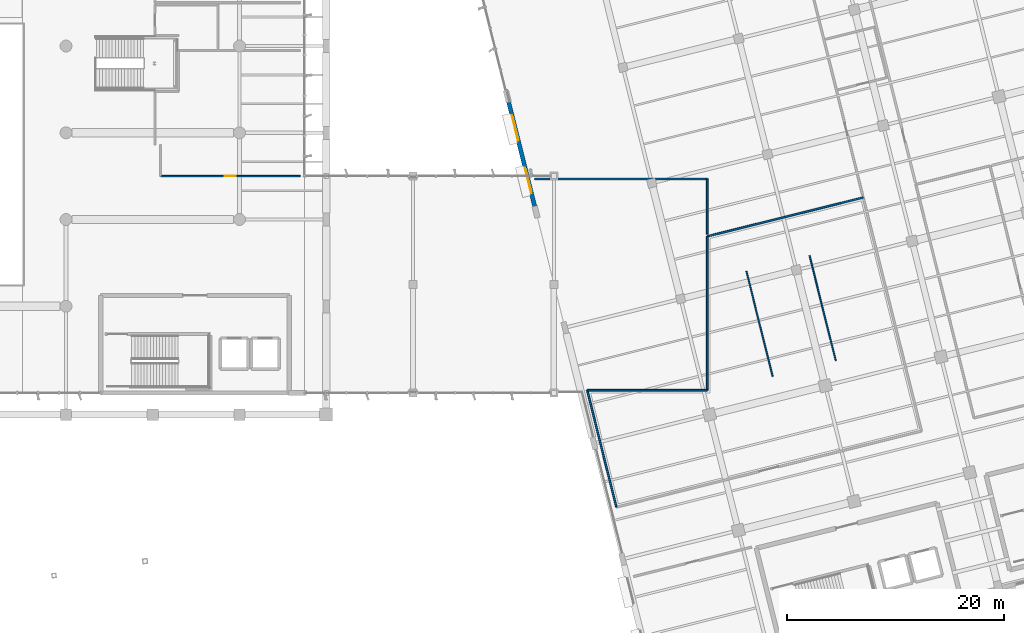
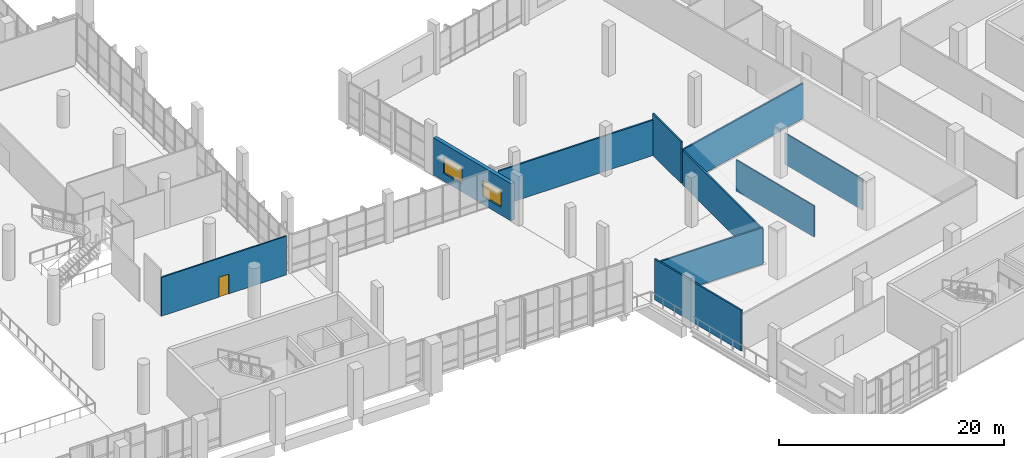
# One storey, part 143 of 176: 10 walls, 2 windows, 1 door, 3 openings.
"""IFC4 building model written with IfcOpenShell, lengths in metres."""

import ifcopenshell
import ifcopenshell.guid

model = None  # the IFC model being written
_history = None  # IfcOwnerHistory: only IFC2X3 demands one
_inside = {}  # id of a spatial element -> (the spatial element, [elements in it])
_under = {}  # id of a project, library or spatial element -> (it, [spatial elements below it])
_declared = {}  # id of a project -> (the project, [libraries it declares])
_typed = {}  # id of a type object -> (the type object, [elements of that type])
_made_of = {}  # id of a material, layer set ... -> (it, [elements and type objects made of it])


def new_model(schema):
    """Start an empty IFC model of exactly this schema.

    Asked for "IFC4X3", IfcOpenShell would pick the latest addendum, in which some entities
    have other attributes; the version numbers below select the first issue.
    IFC2X3 requires an IfcOwnerHistory on every rooted entity: one is made here for all.
    """
    global model, _history
    if schema == "IFC4X3":
        model = ifcopenshell.file(schema_version=(4, 3, 0, 0))
    else:
        model = ifcopenshell.file(schema=schema)
    _inside.clear()
    _under.clear()
    _declared.clear()
    _typed.clear()
    _made_of.clear()
    _history = None
    if model.schema == "IFC2X3":
        org = make("IfcOrganization", Name="unknown")
        user = make(
            "IfcPersonAndOrganization",
            ThePerson=make("IfcPerson", FamilyName="unknown"),
            TheOrganization=org,
        )
        app = make(
            "IfcApplication",
            ApplicationDeveloper=org,
            Version="unknown",
            ApplicationFullName="unknown",
            ApplicationIdentifier="unknown",
        )
        _history = make(
            "IfcOwnerHistory",
            OwningUser=user,
            OwningApplication=app,
            ChangeAction="ADDED",
            CreationDate=0,
        )
    return model


def make(cls, **values):
    """One entity of the class cls with the attributes given. An attribute that is None is left unset."""
    return model.create_entity(
        cls, **{name: value for name, value in values.items() if value is not None}
    )


def rooted(cls, **values):
    """An entity with a GlobalId (a new one), such as an element, a storey or a relation."""
    return make(cls, GlobalId=ifcopenshell.guid.new(), OwnerHistory=_history, **values)


def si_unit(unit_type, name, prefix=None):
    """IfcSIUnit, for example si_unit("LENGTHUNIT", "METRE", prefix="MILLI")."""
    return make("IfcSIUnit", UnitType=unit_type, Prefix=prefix, Name=name)


def assignment(units):
    """IfcUnitAssignment: the units of a project."""
    return None if units is None else make("IfcUnitAssignment", Units=units)


def point(xyz):
    """IfcCartesianPoint."""
    return None if xyz is None else make("IfcCartesianPoint", Coordinates=xyz)


def direction(xyz):
    """IfcDirection."""
    return None if xyz is None else make("IfcDirection", DirectionRatios=xyz)


def frame(location, z_axis=None, x_axis=None):
    """IfcAxis2Placement3D, a coordinate frame: its origin and axes. An axis left out is left unset."""
    return make(
        "IfcAxis2Placement3D",
        Location=point(location),
        Axis=direction(z_axis),
        RefDirection=direction(x_axis),
    )


def frame_2d(location, x_axis=None):
    """IfcAxis2Placement2D, a coordinate frame in the plane: its origin and x axis."""
    return make(
        "IfcAxis2Placement2D", Location=point(location), RefDirection=direction(x_axis)
    )


def origin():
    """The frame at (0, 0, 0) with its axes left unset."""
    return frame((0.0, 0.0, 0.0))


def place(relative_to, where):
    """IfcLocalPlacement: puts the frame where relative to a parent placement (None: the world)."""
    return make(
        "IfcLocalPlacement", PlacementRelTo=relative_to, RelativePlacement=where
    )


def context(
    kind, dimensions, precision=None, world=None, true_north=None, identifier=None
):
    """IfcGeometricRepresentationContext, for example the 3D "Model" context."""
    return make(
        "IfcGeometricRepresentationContext",
        ContextIdentifier=identifier,
        ContextType=kind,
        CoordinateSpaceDimension=dimensions,
        Precision=precision,
        WorldCoordinateSystem=world,
        TrueNorth=true_north,
    )


def subcontext(parent, identifier, kind, view, scale=None):
    """IfcGeometricRepresentationSubContext, for example "Body" below "Model"."""
    return make(
        "IfcGeometricRepresentationSubContext",
        ContextIdentifier=identifier,
        ContextType=kind,
        ParentContext=parent,
        TargetScale=scale,
        TargetView=view,
    )


def project(units=None, contexts=None):
    """IfcProject with its units and contexts."""
    return rooted(
        "IfcProject",
        Name="project",
        RepresentationContexts=contexts,
        UnitsInContext=assignment(units),
    )


def spatial(cls, under=None, at=None, **own):
    """A site, building, storey or space (cls), placed at a placement, below another one or the project."""
    s = rooted(cls, ObjectPlacement=at, **own)
    if under is not None:
        _under.setdefault(under.id(), (under, []))[1].append(s)
    return s


def profile(cls, at=None, kind="AREA", **sizes):
    """A parametric profile (cls). Its sizes go by their IFC names, for example OverallWidth=200.0."""
    return make(cls, ProfileType=kind, Position=at, **sizes)


def rectangle(**sizes):
    """IfcRectangleProfileDef."""
    return profile("IfcRectangleProfileDef", **sizes)


def extrude(swept, where, along, depth):
    """IfcExtrudedAreaSolid: the profile swept, set in the frame where, extruded along a direction by depth."""
    return make(
        "IfcExtrudedAreaSolid",
        SweptArea=swept,
        Position=where,
        ExtrudedDirection=direction(along),
        Depth=depth,
    )


def shape(context_of_items, identifier, shape_type, items):
    """IfcShapeRepresentation: the items that make up one representation, for example the "Body"."""
    return make(
        "IfcShapeRepresentation",
        ContextOfItems=context_of_items,
        RepresentationIdentifier=identifier,
        RepresentationType=shape_type,
        Items=items,
    )


def material(Name=None, Category=None):
    """IfcMaterial."""
    return make("IfcMaterial", Name=Name, Category=Category)


def layer(
    of_material, thickness, ventilated=None, Name=None, Category=None, Priority=None
):
    """IfcMaterialLayer: one layer of a wall or slab, of a material (None: an air gap)."""
    return make(
        "IfcMaterialLayer",
        Material=of_material,
        LayerThickness=thickness,
        IsVentilated=ventilated,
        Name=Name,
        Category=Category,
        Priority=Priority,
    )


def layer_set(layers, Name=None):
    """IfcMaterialLayerSet."""
    return make("IfcMaterialLayerSet", MaterialLayers=layers, LayerSetName=Name)


def made_of(thing, what):
    """Note that an element or type object is made of a material, layer set ...; save() writes the relation."""
    if what is not None:
        _made_of.setdefault(what.id(), (what, []))[1].append(thing)
    return thing


def type_object(cls, material=None, **own):
    """A type object (cls), such as IfcWallType, which elements share."""
    return made_of(rooted(cls, **own), material)


def element(
    cls,
    number,
    at=None,
    inside=None,
    cuts=None,
    type_object=None,
    material=None,
    context=None,
    identifier="Body",
    shape_type=None,
    held_by="IfcProductDefinitionShape",
    body=None,
    shapes=None,
    **own,
):
    """One element of the class cls, such as IfcWall. Its Tag is "e" and its number.

    at: its placement. inside: the storey or other place that contains it. cuts: it is an
    opening in that element (IfcRelVoidsElement). A single representation is given by context,
    identifier, shape_type and body (its items); several are given by shapes. held_by: the class
    of the entity that holds the representations. save() writes the other relations.
    """
    e = rooted(cls, Tag="e%d" % number, ObjectPlacement=at, **own)
    if body is not None:
        shapes = [shape(context, identifier, shape_type, body)]
    if shapes is not None:
        e.Representation = make(held_by, Representations=shapes)
    if inside is not None:
        _inside.setdefault(inside.id(), (inside, []))[1].append(e)
    if cuts is not None:
        rooted(
            "IfcRelVoidsElement", RelatingBuildingElement=cuts, RelatedOpeningElement=e
        )
    if type_object is not None:
        _typed.setdefault(type_object.id(), (type_object, []))[1].append(e)
    return made_of(e, material)


def fill(opening, filler):
    """IfcRelFillsElement: the door or window that sits in an opening."""
    return rooted(
        "IfcRelFillsElement",
        RelatingOpeningElement=opening,
        RelatedBuildingElement=filler,
    )


def aggregate(whole, parts):
    """IfcRelAggregates: a whole, such as a stair, and the parts it consists of."""
    return rooted("IfcRelAggregates", RelatingObject=whole, RelatedObjects=parts)


def save(model, path):
    """Write the relations noted so far, then the file.

    IfcRelAggregates (storeys below a building ...), IfcRelContainedInSpatialStructure (elements
    in a storey), IfcRelDefinesByType, IfcRelAssociatesMaterial and IfcRelDeclares: one each for
    every whole, place, type object, material and project.
    """
    for whole, parts in _under.values():
        aggregate(whole, parts)
    for where, things in _inside.values():
        rooted(
            "IfcRelContainedInSpatialStructure",
            RelatedElements=things,
            RelatingStructure=where,
        )
    for kind, things in _typed.values():
        rooted("IfcRelDefinesByType", RelatedObjects=things, RelatingType=kind)
    for what, things in _made_of.values():
        rooted("IfcRelAssociatesMaterial", RelatedObjects=things, RelatingMaterial=what)
    for by, libraries in _declared.values():
        rooted("IfcRelDeclares", RelatingContext=by, RelatedDefinitions=libraries)
    model.write(path)


model = new_model("IFC4")

# Units and contexts
model_context = context("Model", 3, precision=1e-05, world=origin(), true_north=direction((0.0, 1.0)))
body_context = subcontext(model_context, "Body", "Model", "MODEL_VIEW")
ifc_project = project(units=[si_unit("LENGTHUNIT", "METRE"), si_unit("AREAUNIT", "SQUARE_METRE"), si_unit("VOLUMEUNIT", "CUBIC_METRE"), si_unit("PLANEANGLEUNIT", "RADIAN"), si_unit("MASSUNIT", "GRAM", prefix="KILO")], contexts=[model_context])

# Site, building, storey
site_placement = place(None, origin())
site = spatial("IfcSite", under=ifc_project, at=site_placement, CompositionType="ELEMENT")
building_placement = place(site_placement, origin())
building = spatial("IfcBuilding", under=site, at=building_placement, Name="Khorjan Park Terminus", CompositionType="ELEMENT")
storey_placement = place(building_placement, frame((0.0, 0.0, 6.0)))
storey = spatial("IfcBuildingStorey", under=building, at=storey_placement, Name="L01", CompositionType="ELEMENT", Elevation=6.0)

# Wall, openings, windows
ifc_material_1 = material(Name="Pigmented Precast GRC & Concrete C40/50", Category="concrete")
ifc_layer_1 = layer(ifc_material_1, 0.38)
ifc_layer_set_1 = layer_set([ifc_layer_1], Name="Pigmented Precast GRC & Concrete C40/50")
wall_type_1 = type_object("IfcWallType", Name="EW-38", PredefinedType="STANDARD", material=ifc_layer_set_1)
wall_1_placement = place(storey_placement, frame((152.8189, 54.8664, 0.0), z_axis=(0.0, 0.0, 1.0), x_axis=(0.241921955253, -0.970295711403, 0.0)))
wall_1 = element("IfcWall", 1, at=wall_1_placement, inside=storey, type_object=wall_type_1, Name="External pigmented-GRC insulated wall EW-38 (EW-V5-W-L01-B02)", PredefinedType="STANDARD", context=body_context, shape_type="SweptSolid", body=[
    extrude(rectangle(XDim=9.9697, YDim=0.38, at=frame_2d((4.9848, 0.0))), origin(), (0.0, 0.0, 1.0), 4.055),
])
opening_1_placement = place(wall_1_placement, frame((1.2924, 0.0, 0.85)))
opening_1 = element("IfcOpeningElement", 2, at=opening_1_placement, cuts=wall_1, Name="Opening WN-24", PredefinedType="OPENING", context=body_context, shape_type="SweptSolid", body=[
    extrude(rectangle(XDim=2.4, YDim=1.8, at=frame_2d((1.2, 0.9))), frame((0.0, 0.2, 0.0), z_axis=(0.0, -1.0, 0.0), x_axis=(1.0, 0.0, 0.0)), (0.0, 0.0, 1.0), 0.4),
])
opening_2_placement = place(wall_1_placement, frame((6.2773, 0.0, 0.85)))
opening_2 = element("IfcOpeningElement", 3, at=opening_2_placement, cuts=wall_1, Name="Opening WN-24", PredefinedType="OPENING", context=body_context, shape_type="SweptSolid", body=[
    extrude(rectangle(XDim=2.4, YDim=1.8, at=frame_2d((1.2, 0.9))), frame((0.0, 0.2, 0.0), z_axis=(0.0, -1.0, 0.0), x_axis=(1.0, 0.0, 0.0)), (0.0, 0.0, 1.0), 0.4),
])
ifc_material_2 = material(Name="Anodized Bronze Aluminium & Low-E Glass", Category="aluminium")
window_type = type_object("IfcWindowType", Name="WN-24", PartitioningType="SINGLE_PANEL", PredefinedType="WINDOW", material=ifc_material_2)
window_1_placement = place(opening_1_placement, origin())
window_1 = element("IfcWindow", 4, at=window_1_placement, inside=storey, type_object=window_type, Name="Solar-control exterior window WN-24 (WN-EW-V5-W-L01-B02-1)", OverallHeight=1.8, OverallWidth=2.4, PartitioningType="SINGLE_PANEL", PredefinedType="WINDOW", context=body_context, shape_type="SweptSolid", body=[
    extrude(rectangle(XDim=2.4, YDim=1.8, at=frame_2d((1.2, 0.9))), frame((0.0, 0.03, 0.0), z_axis=(0.0, -1.0, 0.0), x_axis=(1.0, 0.0, 0.0)), (0.0, 0.0, 1.0), 0.06),
])
fill(opening_1, window_1)
window_2_placement = place(opening_2_placement, origin())
window_2 = element("IfcWindow", 5, at=window_2_placement, inside=storey, type_object=window_type, Name="Solar-control exterior window WN-24 (WN-EW-V5-W-L01-B02-2)", OverallHeight=1.8, OverallWidth=2.4, PartitioningType="SINGLE_PANEL", PredefinedType="WINDOW", context=body_context, shape_type="SweptSolid", body=[
    extrude(rectangle(XDim=2.4, YDim=1.8, at=frame_2d((1.2, 0.9))), frame((0.0, 0.03, 0.0), z_axis=(0.0, -1.0, 0.0), x_axis=(1.0, 0.0, 0.0)), (0.0, 0.0, 1.0), 0.06),
])
fill(opening_2, window_2)

# Walls
ifc_material_3 = material(Name="Acoustic Operable Folding PartitionWall")
ifc_layer_2 = layer(ifc_material_3, 0.12)
ifc_layer_set_2 = layer_set([ifc_layer_2], Name="Acoustic Operable Folding PartitionWall")
wall_type_2 = type_object("IfcWallType", Name="MV-12", PredefinedType="MOVABLE", material=ifc_layer_set_2)
wall_2_placement = place(storey_placement, frame((177.174, 29.5207, 0.0), z_axis=(0.0, 0.0, 1.0), x_axis=(-0.241919107756, 0.970296421359, 0.0)))
element("IfcWall", 6, at=wall_2_placement, inside=storey, type_object=wall_type_2, Name="Operable acoustic folding partition MV-12 (1)", PredefinedType="MOVABLE", context=body_context, shape_type="SweptSolid", body=[
    extrude(rectangle(XDim=10.0, YDim=0.12, at=frame_2d((5.0, 0.0))), origin(), (0.0, 0.0, 1.0), 3.4),
])
wall_3_placement = place(storey_placement, frame((182.9958, 30.9723, 0.0), z_axis=(0.0, 0.0, 1.0), x_axis=(-0.241921455101, 0.970295836104, 0.0)))
element("IfcWall", 7, at=wall_3_placement, inside=storey, type_object=wall_type_2, Name="Operable acoustic folding partition MV-12 (2)", PredefinedType="MOVABLE", context=body_context, shape_type="SweptSolid", body=[
    extrude(rectangle(XDim=9.9999, YDim=0.12, at=frame_2d((5.0, 0.0))), origin(), (0.0, 0.0, 1.0), 3.4),
])

# Wall, opening, door
ifc_material_4 = material(Name="Moisture-Resistant Sanitary Partition")
ifc_layer_3 = layer(ifc_material_4, 0.14)
ifc_layer_set_3 = layer_set([ifc_layer_3], Name="Moisture-Resistant Sanitary Partition")
wall_type_3 = type_object("IfcWallType", Name="PT-14", PredefinedType="PARTITIONING", material=ifc_layer_set_3)
wall_4_placement = place(storey_placement, frame((133.6, 48.0, 0.0), z_axis=(0.0, 0.0, 1.0), x_axis=(-1.0, 0.0, 0.0)))
wall_4 = element("IfcWall", 8, at=wall_4_placement, inside=storey, type_object=wall_type_3, Name="Interior acoustic partition PT-14 (L01-WC1)", PredefinedType="PARTITIONING", context=body_context, shape_type="SweptSolid", body=[
    extrude(rectangle(XDim=12.88, YDim=0.14, at=frame_2d((6.44, 0.0))), origin(), (0.0, 0.0, 1.0), 4.215),
])
opening_3_placement = place(wall_4_placement, frame((5.94, 0.0, 0.0)))
opening_3 = element("IfcOpeningElement", 9, at=opening_3_placement, cuts=wall_4, Name="Opening ID-10", PredefinedType="OPENING", context=body_context, shape_type="SweptSolid", body=[
    extrude(rectangle(XDim=1.0, YDim=2.15, at=frame_2d((0.5, 1.075))), frame((0.0, 0.08, 0.0), z_axis=(0.0, -1.0, 0.0), x_axis=(1.0, 0.0, 0.0)), (0.0, 0.0, 1.0), 0.16),
])
ifc_material_5 = material(Name="Acoustic Fire-Rated Single Door")
door_type = type_object("IfcDoorType", Name="ID-10", OperationType="NOTDEFINED", PredefinedType="DOOR", material=ifc_material_5)
door_placement = place(opening_3_placement, origin())
door = element("IfcDoor", 10, at=door_placement, inside=storey, type_object=door_type, Name="Interior door ID-10 (L01-WC1)", OperationType="SINGLE_SWING_LEFT", OverallHeight=2.15, OverallWidth=1.0, PredefinedType="DOOR", context=body_context, shape_type="SweptSolid", body=[
    extrude(rectangle(XDim=1.0, YDim=2.15, at=frame_2d((0.5, 1.075))), frame((0.0, 0.025, 0.0), z_axis=(0.0, -1.0, 0.0), x_axis=(1.0, 0.0, 0.0)), (0.0, 0.0, 1.0), 0.05),
])
fill(opening_3, door)

# Walls
ifc_material_6 = material(Name="Insulated Metal-Stud Acoustic Partition")
ifc_layer_4 = layer(ifc_material_6, 0.16)
ifc_layer_set_4 = layer_set([ifc_layer_4], Name="Insulated Metal-Stud Acoustic Partition")
wall_type_4 = type_object("IfcWallType", Name="PT-16", PredefinedType="PARTITIONING", material=ifc_layer_set_4)
wall_5_placement = place(storey_placement, frame((162.7598, 17.4758, 0.0), z_axis=(0.0, 0.0, 1.0), x_axis=(-0.241921637388, 0.970295790655, 0.0)))
element("IfcWall", 11, at=wall_5_placement, inside=storey, type_object=wall_type_4, Name="Interior acoustic partition PT-16 (L01-CNT)", PredefinedType="PARTITIONING", context=body_context, shape_type="SweptSolid", body=[
    extrude(rectangle(XDim=11.1143, YDim=0.16, at=frame_2d((5.5572, 0.0))), origin(), (0.0, 0.0, 1.0), 4.425),
])
wall_6_placement = place(storey_placement, frame((160.071, 28.26, 0.0), z_axis=(0.0, 0.0, 1.0), x_axis=(1.0, 0.0, 0.0)))
element("IfcWall", 12, at=wall_6_placement, inside=storey, type_object=wall_type_4, Name="Interior acoustic partition PT-16 (L01-CNT)", PredefinedType="PARTITIONING", context=body_context, shape_type="SweptSolid", body=[
    extrude(rectangle(XDim=11.069, YDim=0.16, at=frame_2d((5.5345, 0.0))), origin(), (0.0, 0.0, 1.0), 3.975),
])
wall_7_placement = place(storey_placement, frame((171.14, 28.26, 0.0), z_axis=(0.0, 0.0, 1.0), x_axis=(0.0, 1.0, 0.0)))
element("IfcWall", 13, at=wall_7_placement, inside=storey, type_object=wall_type_4, Name="Interior acoustic partition PT-16 (L01-CNT)", PredefinedType="PARTITIONING", context=body_context, shape_type="SweptSolid", body=[
    extrude(rectangle(XDim=14.1849, YDim=0.16, at=frame_2d((7.0925, 0.0))), origin(), (0.0, 0.0, 1.0), 3.775),
])
wall_8_placement = place(storey_placement, frame((171.14, 42.4449, 0.0), z_axis=(0.0, 0.0, 1.0), x_axis=(0.970296620791, 0.241918307867, 0.0)))
element("IfcWall", 14, at=wall_8_placement, inside=storey, type_object=wall_type_4, Name="Interior acoustic partition PT-16 (L01-CNT)", PredefinedType="PARTITIONING", context=body_context, shape_type="SweptSolid", body=[
    extrude(rectangle(XDim=14.8281, YDim=0.16, at=frame_2d((7.414, 0.0))), origin(), (0.0, 0.0, 1.0), 3.835),
])
wall_9_placement = place(storey_placement, frame((171.14, 42.651, 0.0), z_axis=(0.0, 0.0, 1.0), x_axis=(0.0, 1.0, 0.0)))
element("IfcWall", 15, at=wall_9_placement, inside=storey, type_object=wall_type_4, Name="Interior acoustic partition PT-16 (L01-ADM)", PredefinedType="PARTITIONING", context=body_context, shape_type="SweptSolid", body=[
    extrude(rectangle(XDim=5.089, YDim=0.16, at=frame_2d((2.5445, 0.0))), origin(), (0.0, 0.0, 1.0), 4.535),
])
wall_10_placement = place(storey_placement, frame((171.14, 47.74, 0.0), z_axis=(0.0, 0.0, 1.0), x_axis=(-1.0, 0.0, 0.0)))
element("IfcWall", 16, at=wall_10_placement, inside=storey, type_object=wall_type_4, Name="Interior acoustic partition PT-16 (L01-ADM)", PredefinedType="PARTITIONING", context=body_context, shape_type="SweptSolid", body=[
    extrude(rectangle(XDim=15.9259, YDim=0.16, at=frame_2d((7.963, 0.0))), origin(), (0.0, 0.0, 1.0), 3.855),
])

save(model, "model.ifc")
